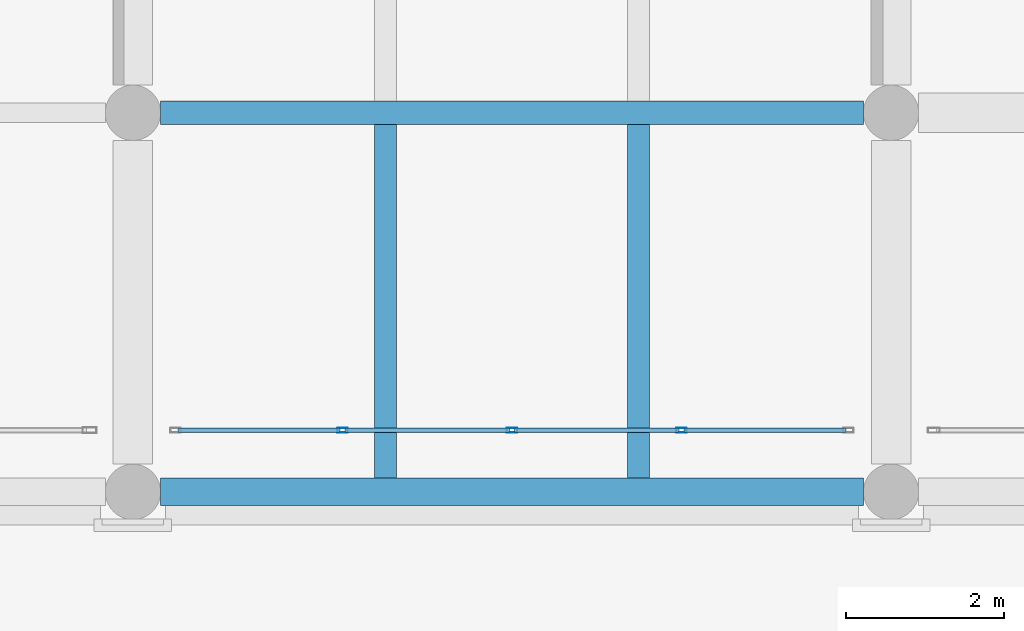
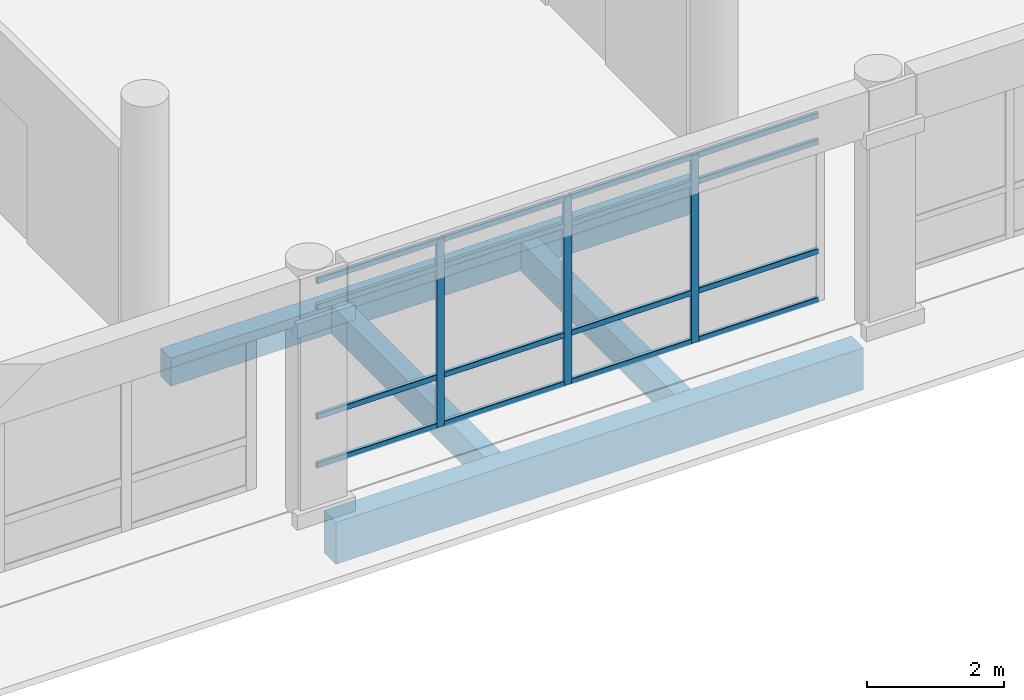
# One storey, part 34 of 196: 19 members, 4 beams, 1 element without a shape of its own.
"""IFC4 building model written with IfcOpenShell, lengths in metres."""

from ifc_helpers import new_model, si_unit, direction, frame, origin, origin_2d, place, context, subcontext, project, spatial, rectangle, hollow_rectangle, extrude, material, layer, layer_set, material_profile, profile_set, type_object, element, aggregate, save


model = new_model("IFC4")

# Units and contexts
model_context = context("Model", 3, precision=1e-05, world=origin(), true_north=direction((0.0, 1.0)))
body_context = subcontext(model_context, "Body", "Model", "MODEL_VIEW")
ifc_project = project(units=[si_unit("LENGTHUNIT", "METRE"), si_unit("AREAUNIT", "SQUARE_METRE"), si_unit("VOLUMEUNIT", "CUBIC_METRE"), si_unit("PLANEANGLEUNIT", "RADIAN"), si_unit("MASSUNIT", "GRAM", prefix="KILO")], contexts=[model_context])

# Site, building, storey
site_placement = place(None, origin())
site = spatial("IfcSite", under=ifc_project, at=site_placement, CompositionType="ELEMENT")
building_placement = place(site_placement, origin())
building = spatial("IfcBuilding", under=site, at=building_placement, Name="Asteropetra Specialist Clinic", CompositionType="ELEMENT")
storey_placement = place(building_placement, origin())
storey = spatial("IfcBuildingStorey", under=building, at=storey_placement, Name="L00", CompositionType="ELEMENT", Elevation=0.0)

# Beam
ifc_material_1 = material(Name="Concrete C35/45", Category="concrete")
ifc_material_profile_1 = material_profile(ifc_material_1, rectangle(XDim=0.300048828125, YDim=0.5, at=origin_2d()), Name="RCB 300x500")
ifc_profile_set_1 = profile_set([ifc_material_profile_1], Name="Concrete C35/45")
beam_type_1 = type_object("IfcBeamType", Name="BM-RC300x500", PredefinedType="BEAM", material=ifc_profile_set_1)
beam_1_placement = place(storey_placement, frame((38.75, 4.800048828125, -0.590087890625), z_axis=(1.0, 0.0, 0.0), x_axis=(0.0, 1.0, 0.0)))
element("IfcBeam", 1, at=beam_1_placement, inside=storey, type_object=beam_type_1, Name="Beam BBM12-0011", PredefinedType="BEAM", context=body_context, shape_type="SweptSolid", body=[
    extrude(rectangle(XDim=0.300048828125, YDim=0.5, at=origin_2d()), origin(), (0.0, 0.0, 1.0), 8.89990234375),
])

# Curtain wall, members
ifc_material_2 = material(Name="Aluminium and low-E glass", Category="aluminium")
ifc_layer = layer(ifc_material_2, 0.14990234375)
ifc_layer_set = layer_set([ifc_layer], Name="Aluminium and low-E glass")
curtain_wall_type = type_object("IfcCurtainWallType", Name="CW-SYS-11", PredefinedType="USERDEFINED", material=ifc_layer_set)
curtain_wall_placement = place(storey_placement, origin())
curtain_wall = element("IfcCurtainWall", 2, at=curtain_wall_placement, inside=storey, type_object=curtain_wall_type, Name="Curtain Wall CW-125", ObjectType="STICK GLAZED COLONNADE", PredefinedType="USERDEFINED")
ifc_material_3 = material(Name="Aluminium 6063-T6", Category="aluminium")
ifc_material_profile_2 = material_profile(ifc_material_3, hollow_rectangle(XDim=0.06005859375, YDim=0.135009765625, WallThickness=0.00341796875, InnerFilletRadius=0.00341796875, OuterFilletRadius=0.007080078125, at=origin_2d()), Name="MUL 135x60x3.5")
ifc_profile_set_2 = profile_set([ifc_material_profile_2], Name="Aluminium 6063-T6")
member_type_1 = type_object("IfcMemberType", Name="CWM-135x60", PredefinedType="MULLION", material=ifc_profile_set_2)
member_1_placement = place(storey_placement, frame((41.054931640625, 0.780029296875, 0.0), z_axis=(0.0, 0.0, 1.0), x_axis=(0.0, 1.0, 0.0)))
member_1 = element("IfcMember", 3, at=member_1_placement, type_object=member_type_1, Name="CW-125 mullion 2", PredefinedType="MULLION", context=body_context, shape_type="SweptSolid", body=[
    extrude(hollow_rectangle(XDim=0.06005859375, YDim=0.135009765625, WallThickness=0.00341796875, InnerFilletRadius=0.00341796875, OuterFilletRadius=0.007080078125, at=origin_2d()), origin(), (0.0, 0.0, 1.0), 3.35009765625),
])
member_2_placement = place(storey_placement, frame((43.199951171875, 0.780029296875, 0.0), z_axis=(0.0, 0.0, 1.0), x_axis=(0.0, 1.0, 0.0)))
member_2 = element("IfcMember", 4, at=member_2_placement, type_object=member_type_1, Name="CW-125 mullion 3", PredefinedType="MULLION", context=body_context, shape_type="SweptSolid", body=[
    extrude(hollow_rectangle(XDim=0.06005859375, YDim=0.135009765625, WallThickness=0.00341796875, InnerFilletRadius=0.00341796875, OuterFilletRadius=0.007080078125, at=origin_2d()), origin(), (0.0, 0.0, 1.0), 3.35009765625),
])
member_3_placement = place(storey_placement, frame((45.344970703125, 0.780029296875, 0.0), z_axis=(0.0, 0.0, 1.0), x_axis=(0.0, 1.0, 0.0)))
member_3 = element("IfcMember", 5, at=member_3_placement, type_object=member_type_1, Name="CW-125 mullion 4", PredefinedType="MULLION", context=body_context, shape_type="SweptSolid", body=[
    extrude(hollow_rectangle(XDim=0.06005859375, YDim=0.135009765625, WallThickness=0.00341796875, InnerFilletRadius=0.00341796875, OuterFilletRadius=0.007080078125, at=origin_2d()), origin(), (0.0, 0.0, 1.0), 3.35009765625),
])
ifc_material_4 = material(Name="Aluminium 6063-T6", Category="aluminium")
ifc_material_profile_3 = material_profile(ifc_material_4, hollow_rectangle(XDim=0.06005859375, YDim=0.10009765625, WallThickness=0.00341796875, InnerFilletRadius=0.00341796875, OuterFilletRadius=0.007080078125, at=origin_2d()), Name="TRN 100x60x3.5")
ifc_profile_set_3 = profile_set([ifc_material_profile_3], Name="Aluminium 6063-T6")
member_type_2 = type_object("IfcMemberType", Name="CWT-100x60", PredefinedType="USERDEFINED", material=ifc_profile_set_3)
member_4_placement = place(storey_placement, frame((38.969970703125, 0.780029296875, 0.030029296875), z_axis=(1.0, 0.0, 0.0), x_axis=(0.0, 1.0, 0.0)))
member_4 = element("IfcMember", 6, at=member_4_placement, type_object=member_type_2, Name="CW-125 transom 1.1", ObjectType="TRANSOM", PredefinedType="USERDEFINED", context=body_context, shape_type="SweptSolid", body=[
    extrude(hollow_rectangle(XDim=0.06005859375, YDim=0.10009765625, WallThickness=0.00341796875, InnerFilletRadius=0.00341796875, OuterFilletRadius=0.007080078125, at=origin_2d()), origin(), (0.0, 0.0, 1.0), 2.054931640625),
])
member_5_placement = place(storey_placement, frame((38.969970703125, 0.780029296875, 0.89990234375), z_axis=(1.0, 0.0, 0.0), x_axis=(0.0, 1.0, 0.0)))
member_5 = element("IfcMember", 7, at=member_5_placement, type_object=member_type_2, Name="CW-125 transom 1.2", ObjectType="TRANSOM", PredefinedType="USERDEFINED", context=body_context, shape_type="SweptSolid", body=[
    extrude(hollow_rectangle(XDim=0.06005859375, YDim=0.10009765625, WallThickness=0.00341796875, InnerFilletRadius=0.00341796875, OuterFilletRadius=0.007080078125, at=origin_2d()), origin(), (0.0, 0.0, 1.0), 2.054931640625),
])
member_6_placement = place(storey_placement, frame((38.969970703125, 0.780029296875, 2.85009765625), z_axis=(1.0, 0.0, 0.0), x_axis=(0.0, 1.0, 0.0)))
member_6 = element("IfcMember", 8, at=member_6_placement, type_object=member_type_2, Name="CW-125 transom 1.3", ObjectType="TRANSOM", PredefinedType="USERDEFINED", context=body_context, shape_type="SweptSolid", body=[
    extrude(hollow_rectangle(XDim=0.06005859375, YDim=0.10009765625, WallThickness=0.00341796875, InnerFilletRadius=0.00341796875, OuterFilletRadius=0.007080078125, at=origin_2d()), origin(), (0.0, 0.0, 1.0), 2.054931640625),
])
member_7_placement = place(storey_placement, frame((38.969970703125, 0.780029296875, 3.320068359375), z_axis=(1.0, 0.0, 0.0), x_axis=(0.0, 1.0, 0.0)))
member_7 = element("IfcMember", 9, at=member_7_placement, type_object=member_type_2, Name="CW-125 transom 1.4", ObjectType="TRANSOM", PredefinedType="USERDEFINED", context=body_context, shape_type="SweptSolid", body=[
    extrude(hollow_rectangle(XDim=0.06005859375, YDim=0.10009765625, WallThickness=0.00341796875, InnerFilletRadius=0.00341796875, OuterFilletRadius=0.007080078125, at=origin_2d()), origin(), (0.0, 0.0, 1.0), 2.054931640625),
])
member_8_placement = place(storey_placement, frame((41.0849609375, 0.780029296875, 0.030029296875), z_axis=(1.0, 0.0, 0.0), x_axis=(0.0, 1.0, 0.0)))
member_8 = element("IfcMember", 10, at=member_8_placement, type_object=member_type_2, Name="CW-125 transom 2.1", ObjectType="TRANSOM", PredefinedType="USERDEFINED", context=body_context, shape_type="SweptSolid", body=[
    extrude(hollow_rectangle(XDim=0.06005859375, YDim=0.10009765625, WallThickness=0.00341796875, InnerFilletRadius=0.00341796875, OuterFilletRadius=0.007080078125, at=origin_2d()), origin(), (0.0, 0.0, 1.0), 2.0849609375),
])
member_9_placement = place(storey_placement, frame((41.0849609375, 0.780029296875, 0.89990234375), z_axis=(1.0, 0.0, 0.0), x_axis=(0.0, 1.0, 0.0)))
member_9 = element("IfcMember", 11, at=member_9_placement, type_object=member_type_2, Name="CW-125 transom 2.2", ObjectType="TRANSOM", PredefinedType="USERDEFINED", context=body_context, shape_type="SweptSolid", body=[
    extrude(hollow_rectangle(XDim=0.06005859375, YDim=0.10009765625, WallThickness=0.00341796875, InnerFilletRadius=0.00341796875, OuterFilletRadius=0.007080078125, at=origin_2d()), origin(), (0.0, 0.0, 1.0), 2.0849609375),
])
member_10_placement = place(storey_placement, frame((41.0849609375, 0.780029296875, 2.85009765625), z_axis=(1.0, 0.0, 0.0), x_axis=(0.0, 1.0, 0.0)))
member_10 = element("IfcMember", 12, at=member_10_placement, type_object=member_type_2, Name="CW-125 transom 2.3", ObjectType="TRANSOM", PredefinedType="USERDEFINED", context=body_context, shape_type="SweptSolid", body=[
    extrude(hollow_rectangle(XDim=0.06005859375, YDim=0.10009765625, WallThickness=0.00341796875, InnerFilletRadius=0.00341796875, OuterFilletRadius=0.007080078125, at=origin_2d()), origin(), (0.0, 0.0, 1.0), 2.0849609375),
])
member_11_placement = place(storey_placement, frame((41.0849609375, 0.780029296875, 3.320068359375), z_axis=(1.0, 0.0, 0.0), x_axis=(0.0, 1.0, 0.0)))
member_11 = element("IfcMember", 13, at=member_11_placement, type_object=member_type_2, Name="CW-125 transom 2.4", ObjectType="TRANSOM", PredefinedType="USERDEFINED", context=body_context, shape_type="SweptSolid", body=[
    extrude(hollow_rectangle(XDim=0.06005859375, YDim=0.10009765625, WallThickness=0.00341796875, InnerFilletRadius=0.00341796875, OuterFilletRadius=0.007080078125, at=origin_2d()), origin(), (0.0, 0.0, 1.0), 2.0849609375),
])
member_12_placement = place(storey_placement, frame((43.22998046875, 0.780029296875, 0.030029296875), z_axis=(1.0, 0.0, 0.0), x_axis=(0.0, 1.0, 0.0)))
member_12 = element("IfcMember", 14, at=member_12_placement, type_object=member_type_2, Name="CW-125 transom 3.1", ObjectType="TRANSOM", PredefinedType="USERDEFINED", context=body_context, shape_type="SweptSolid", body=[
    extrude(hollow_rectangle(XDim=0.06005859375, YDim=0.10009765625, WallThickness=0.00341796875, InnerFilletRadius=0.00341796875, OuterFilletRadius=0.007080078125, at=origin_2d()), origin(), (0.0, 0.0, 1.0), 2.0849609375),
])
member_13_placement = place(storey_placement, frame((43.22998046875, 0.780029296875, 0.89990234375), z_axis=(1.0, 0.0, 0.0), x_axis=(0.0, 1.0, 0.0)))
member_13 = element("IfcMember", 15, at=member_13_placement, type_object=member_type_2, Name="CW-125 transom 3.2", ObjectType="TRANSOM", PredefinedType="USERDEFINED", context=body_context, shape_type="SweptSolid", body=[
    extrude(hollow_rectangle(XDim=0.06005859375, YDim=0.10009765625, WallThickness=0.00341796875, InnerFilletRadius=0.00341796875, OuterFilletRadius=0.007080078125, at=origin_2d()), origin(), (0.0, 0.0, 1.0), 2.0849609375),
])
member_14_placement = place(storey_placement, frame((43.22998046875, 0.780029296875, 2.85009765625), z_axis=(1.0, 0.0, 0.0), x_axis=(0.0, 1.0, 0.0)))
member_14 = element("IfcMember", 16, at=member_14_placement, type_object=member_type_2, Name="CW-125 transom 3.3", ObjectType="TRANSOM", PredefinedType="USERDEFINED", context=body_context, shape_type="SweptSolid", body=[
    extrude(hollow_rectangle(XDim=0.06005859375, YDim=0.10009765625, WallThickness=0.00341796875, InnerFilletRadius=0.00341796875, OuterFilletRadius=0.007080078125, at=origin_2d()), origin(), (0.0, 0.0, 1.0), 2.0849609375),
])
member_15_placement = place(storey_placement, frame((43.22998046875, 0.780029296875, 3.320068359375), z_axis=(1.0, 0.0, 0.0), x_axis=(0.0, 1.0, 0.0)))
member_15 = element("IfcMember", 17, at=member_15_placement, type_object=member_type_2, Name="CW-125 transom 3.4", ObjectType="TRANSOM", PredefinedType="USERDEFINED", context=body_context, shape_type="SweptSolid", body=[
    extrude(hollow_rectangle(XDim=0.06005859375, YDim=0.10009765625, WallThickness=0.00341796875, InnerFilletRadius=0.00341796875, OuterFilletRadius=0.007080078125, at=origin_2d()), origin(), (0.0, 0.0, 1.0), 2.0849609375),
])
member_16_placement = place(storey_placement, frame((45.375, 0.780029296875, 0.030029296875), z_axis=(1.0, 0.0, 0.0), x_axis=(0.0, 1.0, 0.0)))
member_16 = element("IfcMember", 18, at=member_16_placement, type_object=member_type_2, Name="CW-125 transom 4.1", ObjectType="TRANSOM", PredefinedType="USERDEFINED", context=body_context, shape_type="SweptSolid", body=[
    extrude(hollow_rectangle(XDim=0.06005859375, YDim=0.10009765625, WallThickness=0.00341796875, InnerFilletRadius=0.00341796875, OuterFilletRadius=0.007080078125, at=origin_2d()), origin(), (0.0, 0.0, 1.0), 2.054931640625),
])
member_17_placement = place(storey_placement, frame((45.375, 0.780029296875, 0.89990234375), z_axis=(1.0, 0.0, 0.0), x_axis=(0.0, 1.0, 0.0)))
member_17 = element("IfcMember", 19, at=member_17_placement, type_object=member_type_2, Name="CW-125 transom 4.2", ObjectType="TRANSOM", PredefinedType="USERDEFINED", context=body_context, shape_type="SweptSolid", body=[
    extrude(hollow_rectangle(XDim=0.06005859375, YDim=0.10009765625, WallThickness=0.00341796875, InnerFilletRadius=0.00341796875, OuterFilletRadius=0.007080078125, at=origin_2d()), origin(), (0.0, 0.0, 1.0), 2.054931640625),
])
member_18_placement = place(storey_placement, frame((45.375, 0.780029296875, 2.85009765625), z_axis=(1.0, 0.0, 0.0), x_axis=(0.0, 1.0, 0.0)))
member_18 = element("IfcMember", 20, at=member_18_placement, type_object=member_type_2, Name="CW-125 transom 4.3", ObjectType="TRANSOM", PredefinedType="USERDEFINED", context=body_context, shape_type="SweptSolid", body=[
    extrude(hollow_rectangle(XDim=0.06005859375, YDim=0.10009765625, WallThickness=0.00341796875, InnerFilletRadius=0.00341796875, OuterFilletRadius=0.007080078125, at=origin_2d()), origin(), (0.0, 0.0, 1.0), 2.054931640625),
])
member_19_placement = place(storey_placement, frame((45.375, 0.780029296875, 3.320068359375), z_axis=(1.0, 0.0, 0.0), x_axis=(0.0, 1.0, 0.0)))
member_19 = element("IfcMember", 21, at=member_19_placement, type_object=member_type_2, Name="CW-125 transom 4.4", ObjectType="TRANSOM", PredefinedType="USERDEFINED", context=body_context, shape_type="SweptSolid", body=[
    extrude(hollow_rectangle(XDim=0.06005859375, YDim=0.10009765625, WallThickness=0.00341796875, InnerFilletRadius=0.00341796875, OuterFilletRadius=0.007080078125, at=origin_2d()), origin(), (0.0, 0.0, 1.0), 2.054931640625),
])
aggregate(curtain_wall, [member_1, member_2, member_3, member_4, member_5, member_6, member_7, member_8, member_9, member_10, member_11, member_12, member_13, member_14, member_15, member_16, member_17, member_18, member_19])

# Beams
ifc_material_5 = material(Name="Concrete C35/45", Category="concrete")
ifc_material_profile_4 = material_profile(ifc_material_5, rectangle(XDim=0.280029296875, YDim=0.52001953125, at=origin_2d()), Name="RCJ 280x520")
ifc_profile_set_4 = profile_set([ifc_material_profile_4], Name="Concrete C35/45")
beam_type_2 = type_object("IfcBeamType", Name="JST-RC280x520", PredefinedType="JOIST", material=ifc_profile_set_4)
for number, where, z_axis, x_axis, name in (
    (22, (41.60009765625, 0.175048828125, -0.60009765625), (0.0, 1.0, 0.0), (-1.0, 0.0, 0.0), "Joist JJST01-0046"),
    (23, (44.800048828125, 0.175048828125, -0.60009765625), (0.0, 1.0, 0.0), (-1.0, 0.0, 0.0), "Joist JJST01-0047"),
):
    element("IfcBeam", number, at=place(storey_placement, frame(where, z_axis=z_axis, x_axis=x_axis)), inside=storey, type_object=beam_type_2, Name=name, PredefinedType="JOIST", context=body_context, shape_type="SweptSolid", body=[
        extrude(rectangle(XDim=0.280029296875, YDim=0.52001953125, at=origin_2d()), origin(), (0.0, 0.0, 1.0), 4.474853515625),
    ])
ifc_material_6 = material(Name="Concrete C35/45", Category="concrete")
ifc_material_profile_5 = material_profile(ifc_material_6, rectangle(XDim=0.35009765625, YDim=0.75, at=origin_2d()), Name="RCS 350x750")
ifc_profile_set_5 = profile_set([ifc_material_profile_5], Name="Concrete C35/45")
beam_type_3 = type_object("IfcBeamType", Name="SPN-RC350x750", PredefinedType="SPANDREL", material=ifc_profile_set_5)
beam_2_placement = place(storey_placement, frame((38.75, 0.0, -0.715087890625), z_axis=(1.0, 0.0, 0.0), x_axis=(0.0, 1.0, 0.0)))
element("IfcBeam", 24, at=beam_2_placement, inside=storey, type_object=beam_type_3, Name="Beam BSPN01-0005", PredefinedType="SPANDREL", context=body_context, shape_type="SweptSolid", body=[
    extrude(rectangle(XDim=0.35009765625, YDim=0.75, at=origin_2d()), origin(), (0.0, 0.0, 1.0), 8.89990234375),
])

save(model, "model.ifc")
